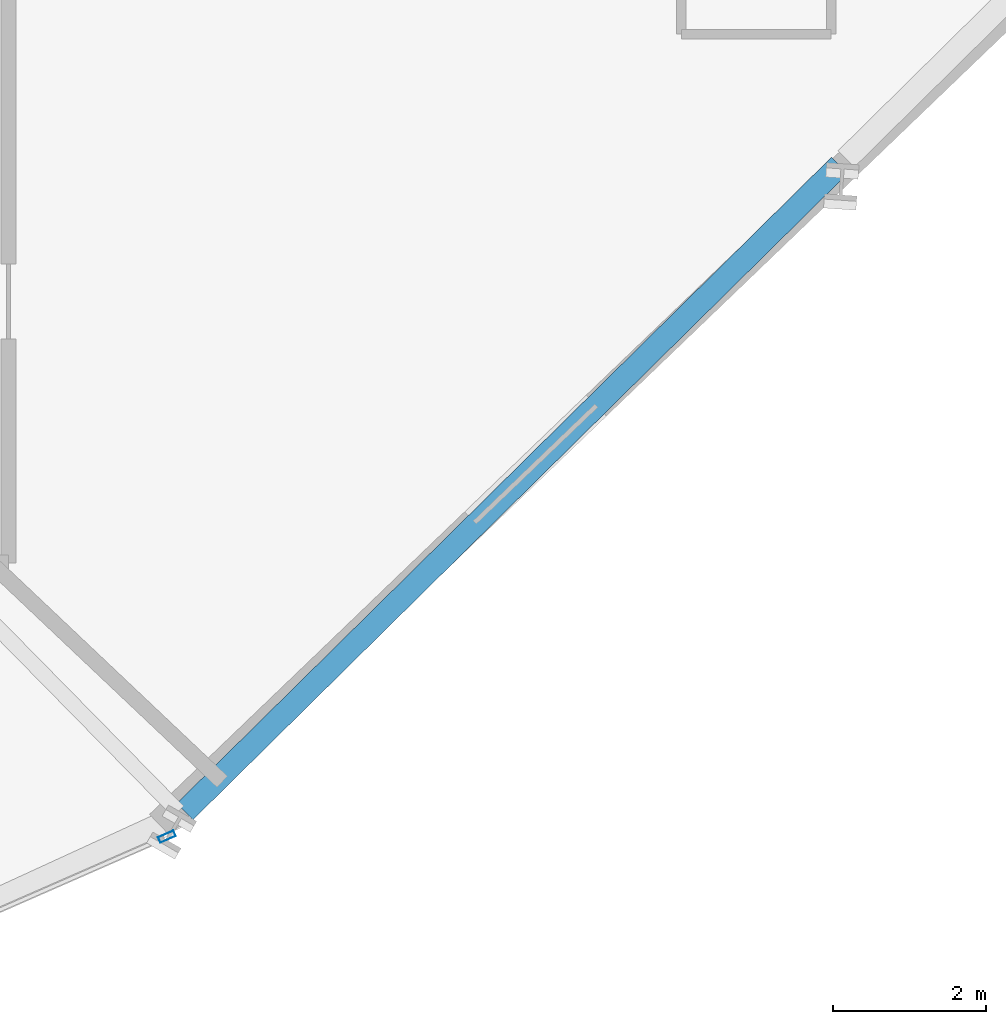
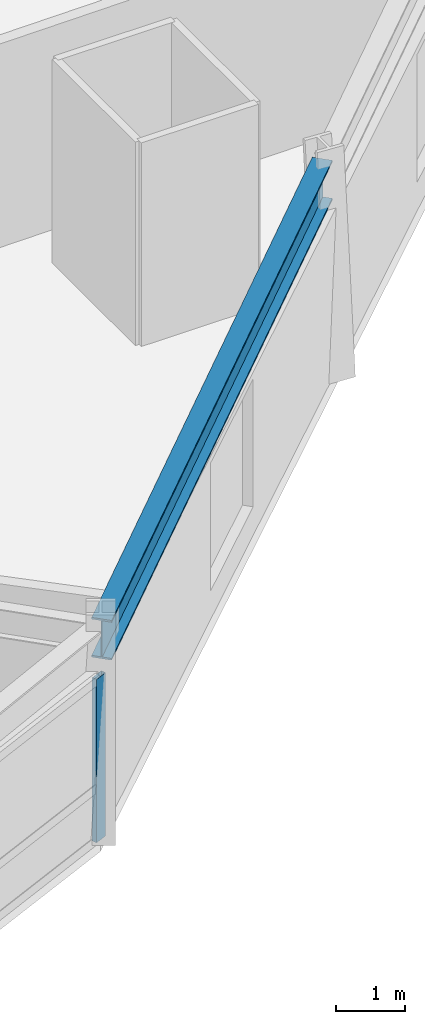
# One storey, part 8 of 17: 1 beam, 1 member, 1 element without a shape of its own.
"""IFC4 building model written with IfcOpenShell, lengths in metres."""

import ifcopenshell
import ifcopenshell.guid

model = None  # the IFC model being written
_history = None  # IfcOwnerHistory: only IFC2X3 demands one
_inside = {}  # id of a spatial element -> (the spatial element, [elements in it])
_under = {}  # id of a project, library or spatial element -> (it, [spatial elements below it])
_declared = {}  # id of a project -> (the project, [libraries it declares])
_typed = {}  # id of a type object -> (the type object, [elements of that type])
_made_of = {}  # id of a material, layer set ... -> (it, [elements and type objects made of it])


def new_model(schema):
    """Start an empty IFC model of exactly this schema.

    Asked for "IFC4X3", IfcOpenShell would pick the latest addendum, in which some entities
    have other attributes; the version numbers below select the first issue.
    IFC2X3 requires an IfcOwnerHistory on every rooted entity: one is made here for all.
    """
    global model, _history
    if schema == "IFC4X3":
        model = ifcopenshell.file(schema_version=(4, 3, 0, 0))
    else:
        model = ifcopenshell.file(schema=schema)
    _inside.clear()
    _under.clear()
    _declared.clear()
    _typed.clear()
    _made_of.clear()
    _history = None
    if model.schema == "IFC2X3":
        org = make("IfcOrganization", Name="unknown")
        user = make(
            "IfcPersonAndOrganization",
            ThePerson=make("IfcPerson", FamilyName="unknown"),
            TheOrganization=org,
        )
        app = make(
            "IfcApplication",
            ApplicationDeveloper=org,
            Version="unknown",
            ApplicationFullName="unknown",
            ApplicationIdentifier="unknown",
        )
        _history = make(
            "IfcOwnerHistory",
            OwningUser=user,
            OwningApplication=app,
            ChangeAction="ADDED",
            CreationDate=0,
        )
    return model


def make(cls, **values):
    """One entity of the class cls with the attributes given. An attribute that is None is left unset."""
    return model.create_entity(
        cls, **{name: value for name, value in values.items() if value is not None}
    )


def rooted(cls, **values):
    """An entity with a GlobalId (a new one), such as an element, a storey or a relation."""
    return make(cls, GlobalId=ifcopenshell.guid.new(), OwnerHistory=_history, **values)


def si_unit(unit_type, name, prefix=None):
    """IfcSIUnit, for example si_unit("LENGTHUNIT", "METRE", prefix="MILLI")."""
    return make("IfcSIUnit", UnitType=unit_type, Prefix=prefix, Name=name)


def assignment(units):
    """IfcUnitAssignment: the units of a project."""
    return None if units is None else make("IfcUnitAssignment", Units=units)


def point(xyz):
    """IfcCartesianPoint."""
    return None if xyz is None else make("IfcCartesianPoint", Coordinates=xyz)


def direction(xyz):
    """IfcDirection."""
    return None if xyz is None else make("IfcDirection", DirectionRatios=xyz)


def frame(location, z_axis=None, x_axis=None):
    """IfcAxis2Placement3D, a coordinate frame: its origin and axes. An axis left out is left unset."""
    return make(
        "IfcAxis2Placement3D",
        Location=point(location),
        Axis=direction(z_axis),
        RefDirection=direction(x_axis),
    )


def frame_2d(location, x_axis=None):
    """IfcAxis2Placement2D, a coordinate frame in the plane: its origin and x axis."""
    return make(
        "IfcAxis2Placement2D", Location=point(location), RefDirection=direction(x_axis)
    )


def origin():
    """The frame at (0, 0, 0) with its axes left unset."""
    return frame((0.0, 0.0, 0.0))


def origin_2d():
    """The frame at (0, 0) in the plane with its x axis left unset."""
    return frame_2d((0.0, 0.0))


def place(relative_to, where):
    """IfcLocalPlacement: puts the frame where relative to a parent placement (None: the world)."""
    return make(
        "IfcLocalPlacement", PlacementRelTo=relative_to, RelativePlacement=where
    )


def context(
    kind, dimensions, precision=None, world=None, true_north=None, identifier=None
):
    """IfcGeometricRepresentationContext, for example the 3D "Model" context."""
    return make(
        "IfcGeometricRepresentationContext",
        ContextIdentifier=identifier,
        ContextType=kind,
        CoordinateSpaceDimension=dimensions,
        Precision=precision,
        WorldCoordinateSystem=world,
        TrueNorth=true_north,
    )


def subcontext(parent, identifier, kind, view, scale=None):
    """IfcGeometricRepresentationSubContext, for example "Body" below "Model"."""
    return make(
        "IfcGeometricRepresentationSubContext",
        ContextIdentifier=identifier,
        ContextType=kind,
        ParentContext=parent,
        TargetScale=scale,
        TargetView=view,
    )


def project(units=None, contexts=None):
    """IfcProject with its units and contexts."""
    return rooted(
        "IfcProject",
        Name="project",
        RepresentationContexts=contexts,
        UnitsInContext=assignment(units),
    )


def spatial(cls, under=None, at=None, **own):
    """A site, building, storey or space (cls), placed at a placement, below another one or the project."""
    s = rooted(cls, ObjectPlacement=at, **own)
    if under is not None:
        _under.setdefault(under.id(), (under, []))[1].append(s)
    return s


def profile(cls, at=None, kind="AREA", **sizes):
    """A parametric profile (cls). Its sizes go by their IFC names, for example OverallWidth=200.0."""
    return make(cls, ProfileType=kind, Position=at, **sizes)


def hollow_rectangle(**sizes):
    """IfcRectangleHollowProfileDef."""
    return profile("IfcRectangleHollowProfileDef", **sizes)


def i_section(**sizes):
    """IfcIShapeProfileDef."""
    return profile("IfcIShapeProfileDef", **sizes)


def extrude(swept, where, along, depth):
    """IfcExtrudedAreaSolid: the profile swept, set in the frame where, extruded along a direction by depth."""
    return make(
        "IfcExtrudedAreaSolid",
        SweptArea=swept,
        Position=where,
        ExtrudedDirection=direction(along),
        Depth=depth,
    )


def shape(context_of_items, identifier, shape_type, items):
    """IfcShapeRepresentation: the items that make up one representation, for example the "Body"."""
    return make(
        "IfcShapeRepresentation",
        ContextOfItems=context_of_items,
        RepresentationIdentifier=identifier,
        RepresentationType=shape_type,
        Items=items,
    )


def source(mapping_origin, context_of_items, identifier, shape_type, items):
    """IfcRepresentationMap: a shape defined once, which mapped items show again and again."""
    return make(
        "IfcRepresentationMap",
        MappingOrigin=mapping_origin,
        MappedRepresentation=shape(context_of_items, identifier, shape_type, items),
    )


def transform(
    local_origin,
    x_axis=None,
    y_axis=None,
    z_axis=None,
    scale=None,
    scale2=None,
    scale3=None,
    uniform=True,
):
    """IfcCartesianTransformationOperator3D, or its non-uniform kind. x_axis, y_axis, z_axis: its Axis1, 2, 3."""
    if uniform:
        return make(
            "IfcCartesianTransformationOperator3D",
            Axis1=direction(x_axis),
            Axis2=direction(y_axis),
            LocalOrigin=point(local_origin),
            Scale=scale,
            Axis3=direction(z_axis),
        )
    return make(
        "IfcCartesianTransformationOperator3DnonUniform",
        Axis1=direction(x_axis),
        Axis2=direction(y_axis),
        LocalOrigin=point(local_origin),
        Scale=scale,
        Axis3=direction(z_axis),
        Scale2=scale2,
        Scale3=scale3,
    )


def mapped(mapping_source, mapping_target):
    """IfcMappedItem: shows the shape of a source again, moved by a transform."""
    return make(
        "IfcMappedItem", MappingSource=mapping_source, MappingTarget=mapping_target
    )


def material(Name=None, Category=None):
    """IfcMaterial."""
    return make("IfcMaterial", Name=Name, Category=Category)


def material_profile(
    of_material, cross_section, Name=None, Category=None, Priority=None
):
    """IfcMaterialProfile: a cross section and its material."""
    return make(
        "IfcMaterialProfile",
        Name=Name,
        Material=of_material,
        Profile=cross_section,
        Priority=Priority,
        Category=Category,
    )


def profile_set(profiles, Name=None, composite=None):
    """IfcMaterialProfileSet."""
    return make(
        "IfcMaterialProfileSet",
        Name=Name,
        MaterialProfiles=profiles,
        CompositeProfile=composite,
    )


def made_of(thing, what):
    """Note that an element or type object is made of a material, layer set ...; save() writes the relation."""
    if what is not None:
        _made_of.setdefault(what.id(), (what, []))[1].append(thing)
    return thing


def type_object(cls, material=None, **own):
    """A type object (cls), such as IfcWallType, which elements share."""
    return made_of(rooted(cls, **own), material)


def element(
    cls,
    number,
    at=None,
    inside=None,
    cuts=None,
    type_object=None,
    material=None,
    context=None,
    identifier="Body",
    shape_type=None,
    held_by="IfcProductDefinitionShape",
    body=None,
    shapes=None,
    **own,
):
    """One element of the class cls, such as IfcWall. Its Tag is "e" and its number.

    at: its placement. inside: the storey or other place that contains it. cuts: it is an
    opening in that element (IfcRelVoidsElement). A single representation is given by context,
    identifier, shape_type and body (its items); several are given by shapes. held_by: the class
    of the entity that holds the representations. save() writes the other relations.
    """
    e = rooted(cls, Tag="e%d" % number, ObjectPlacement=at, **own)
    if body is not None:
        shapes = [shape(context, identifier, shape_type, body)]
    if shapes is not None:
        e.Representation = make(held_by, Representations=shapes)
    if inside is not None:
        _inside.setdefault(inside.id(), (inside, []))[1].append(e)
    if cuts is not None:
        rooted(
            "IfcRelVoidsElement", RelatingBuildingElement=cuts, RelatedOpeningElement=e
        )
    if type_object is not None:
        _typed.setdefault(type_object.id(), (type_object, []))[1].append(e)
    return made_of(e, material)


def aggregate(whole, parts):
    """IfcRelAggregates: a whole, such as a stair, and the parts it consists of."""
    return rooted("IfcRelAggregates", RelatingObject=whole, RelatedObjects=parts)


def save(model, path):
    """Write the relations noted so far, then the file.

    IfcRelAggregates (storeys below a building ...), IfcRelContainedInSpatialStructure (elements
    in a storey), IfcRelDefinesByType, IfcRelAssociatesMaterial and IfcRelDeclares: one each for
    every whole, place, type object, material and project.
    """
    for whole, parts in _under.values():
        aggregate(whole, parts)
    for where, things in _inside.values():
        rooted(
            "IfcRelContainedInSpatialStructure",
            RelatedElements=things,
            RelatingStructure=where,
        )
    for kind, things in _typed.values():
        rooted("IfcRelDefinesByType", RelatedObjects=things, RelatingType=kind)
    for what, things in _made_of.values():
        rooted("IfcRelAssociatesMaterial", RelatedObjects=things, RelatingMaterial=what)
    for by, libraries in _declared.values():
        rooted("IfcRelDeclares", RelatingContext=by, RelatedDefinitions=libraries)
    model.write(path)


model = new_model("IFC4")

# Units and contexts
model_context = context("Model", 3, precision=1e-05, world=origin(), true_north=direction((0.0, 1.0)))
body_context = subcontext(model_context, "Body", "Model", "MODEL_VIEW")
ifc_project = project(units=[si_unit("LENGTHUNIT", "METRE"), si_unit("AREAUNIT", "SQUARE_METRE"), si_unit("VOLUMEUNIT", "CUBIC_METRE"), si_unit("PLANEANGLEUNIT", "RADIAN"), si_unit("MASSUNIT", "GRAM", prefix="KILO")], contexts=[model_context])

# Site, building, storey
site_placement = place(None, origin())
site = spatial("IfcSite", under=ifc_project, at=site_placement, CompositionType="ELEMENT")
building_placement = place(site_placement, origin())
building = spatial("IfcBuilding", under=site, at=building_placement, Name="Olszyna Solenne Hotel", CompositionType="ELEMENT")
storey_placement = place(building_placement, frame((0.0, 0.0, 75.89990234375)))
storey = spatial("IfcBuildingStorey", under=building, at=storey_placement, Name="L19", CompositionType="ELEMENT", Elevation=75.89990234375)

# Beam
ifc_material_1 = material(Name="Steel S355J2", Category="steel")
ifc_material_profile_1 = material_profile(ifc_material_1, i_section(OverallWidth=0.300048828125, OverallDepth=0.699951171875, WebThickness=0.01708984375, FlangeThickness=0.031982421875, at=origin_2d()), Name="HEB 700", Category="load-bearing")
ifc_profile_set_1 = profile_set([ifc_material_profile_1], Name="Steel S355J2")
beam_type = type_object("IfcBeamType", Name="BM-S1", PredefinedType="BEAM", material=ifc_profile_set_1)
shared_shape_1 = source(origin(), body_context, "Body", "SweptSolid", [
    extrude(i_section(OverallWidth=0.300048828125, OverallDepth=0.699951171875, WebThickness=0.01708984375, FlangeThickness=0.031982421875, at=origin_2d()), origin(), (0.0, 0.0, 1.0), 11.98876953125),
])
beam_placement = place(storey_placement, frame((50.998291015625, 13.459228515625, 3.22998046875), z_axis=(0.711744660942, 0.702438280293, 0.0), x_axis=(-0.702438280293, 0.711744660942, 0.0)))
element("IfcBeam", 1, at=beam_placement, inside=storey, type_object=beam_type, Name="Perimeter spandrel beam BM-S1 B-L19-0586", PredefinedType="BEAM", context=body_context, shape_type="MappedRepresentation", body=[
    mapped(shared_shape_1, transform((0.0, 0.0, 0.0), x_axis=(1.0, 0.0, 0.0), y_axis=(0.0, 1.0, 0.0), z_axis=(0.0, 0.0, 1.0), scale=1.0)),
])

# Curtain wall, member
ifc_material_2 = material(Name="Anodised bronze aluminium", Category="aluminium")
curtain_wall_type = type_object("IfcCurtainWallType", Name="CW-SYS-6", PredefinedType="NOTDEFINED", material=ifc_material_2)
curtain_wall_placement = place(storey_placement, origin())
curtain_wall = element("IfcCurtainWall", 2, at=curtain_wall_placement, inside=storey, type_object=curtain_wall_type, Name="Unitised curtain wall CW-SYS-6 CW-L19-01", PredefinedType="NOTDEFINED")
ifc_material_profile_2 = material_profile(ifc_material_2, hollow_rectangle(XDim=0.080078125, YDim=0.219970703125, WallThickness=0.0048828125, at=origin_2d()), Name="MULL 220x80x5", Category="load-bearing")
ifc_profile_set_2 = profile_set([ifc_material_profile_2], Name="Anodised bronze aluminium")
member_type = type_object("IfcMemberType", Name="CW-M1", PredefinedType="MULLION", material=ifc_profile_set_2)
shared_shape_2 = source(origin(), body_context, "Body", "SweptSolid", [
    extrude(hollow_rectangle(XDim=0.080078125, YDim=0.219970703125, WallThickness=0.0048828125, at=origin_2d()), origin(), (0.0, 0.0, 1.0), 2.8720703125),
])
member_placement = place(storey_placement, frame((50.764404296875, 13.132568359375, 0.0), z_axis=(0.0, 0.0, 1.0), x_axis=(-0.401449312443, 0.91588124205, 0.0)))
member = element("IfcMember", 3, at=member_placement, type_object=member_type, Name="Curtain-wall mullion CW-M1 CM-L19-01-04", PredefinedType="MULLION", context=body_context, shape_type="MappedRepresentation", body=[
    mapped(shared_shape_2, transform((0.0, 0.0, 0.0), x_axis=(1.0, 0.0, 0.0), y_axis=(0.0, 1.0, 0.0), z_axis=(0.0, 0.0, 1.0), scale=1.0)),
])
aggregate(curtain_wall, [member])

save(model, "model.ifc")
